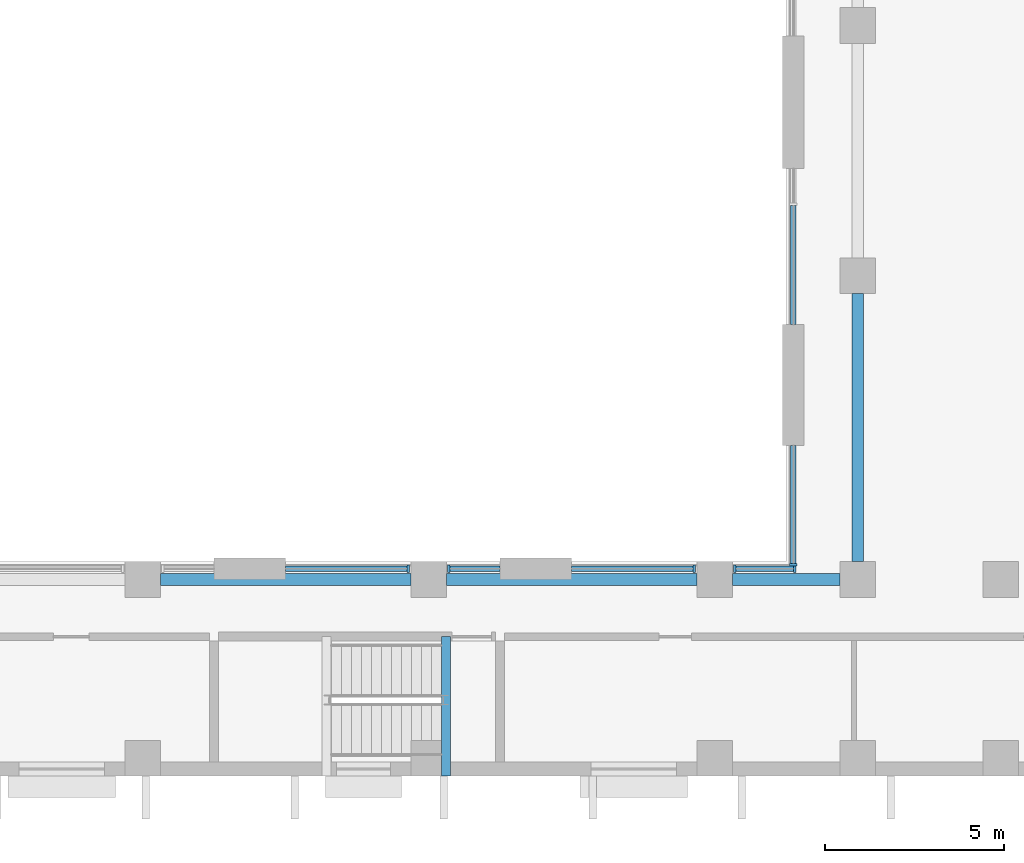
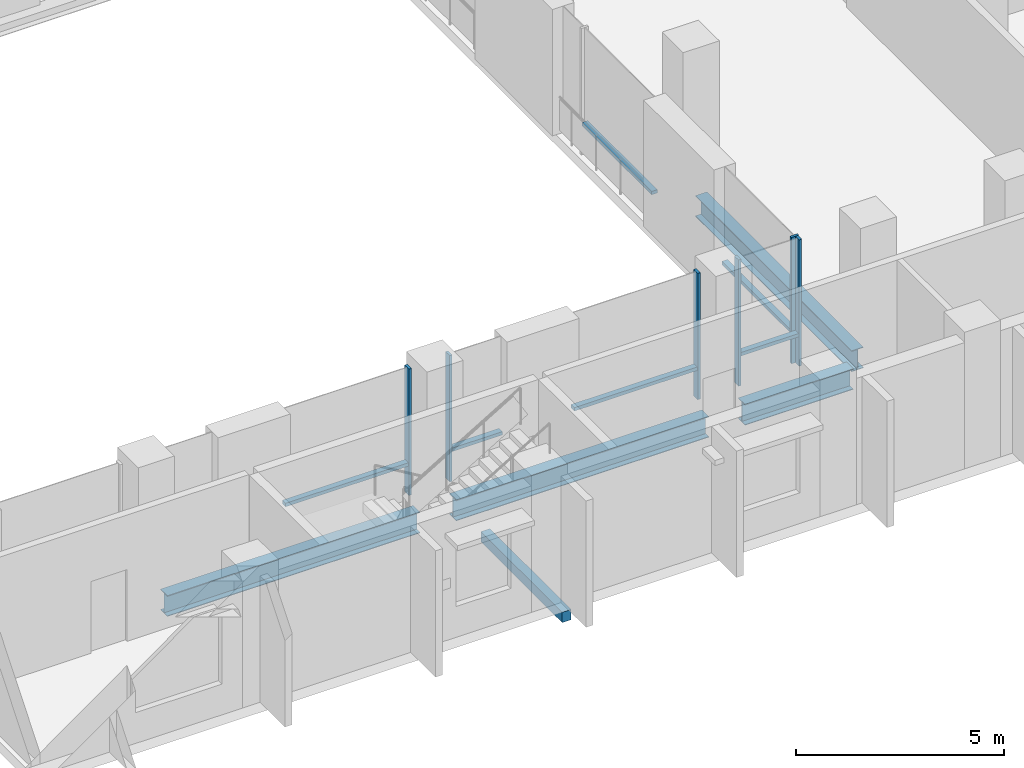
# One storey, part 3 of 25: 12 members, 5 beams, 6 elements without a shape of their own.
"""IFC4 building model written with IfcOpenShell, lengths in metres."""

from ifc_helpers import new_model, si_unit, direction, frame, origin, origin_2d, place, context, subcontext, project, spatial, rectangle, i_section, extrude, material, material_profile, profile_set, type_object, element, aggregate, save


model = new_model("IFC4")

# Units and contexts
model_context = context("Model", 3, precision=1e-05, world=origin(), true_north=direction((0.0, 1.0)))
body_context = subcontext(model_context, "Body", "Model", "MODEL_VIEW")
ifc_project = project(units=[si_unit("LENGTHUNIT", "METRE"), si_unit("AREAUNIT", "SQUARE_METRE"), si_unit("VOLUMEUNIT", "CUBIC_METRE"), si_unit("PLANEANGLEUNIT", "RADIAN"), si_unit("MASSUNIT", "GRAM", prefix="KILO")], contexts=[model_context])

# Site, building, storey
site_placement = place(None, origin())
site = spatial("IfcSite", under=ifc_project, at=site_placement, CompositionType="ELEMENT")
building_placement = place(site_placement, origin())
building = spatial("IfcBuilding", under=site, at=building_placement, Name="Vidyagriha Tower", CompositionType="ELEMENT")
storey_placement = place(building_placement, frame((0.0, 0.0, 10.0)))
storey = spatial("IfcBuildingStorey", under=building, at=storey_placement, Name="L02", CompositionType="ELEMENT", Elevation=10.0)

# Beams
ifc_material_1 = material(Name="Steel ASTM A992 Grade 50", Category="steel")
ifc_material_profile_1 = material_profile(ifc_material_1, i_section(OverallWidth=0.32373046875, OverallDepth=0.612060546875, WebThickness=0.0126953125, FlangeThickness=0.01904296875, at=origin_2d()), Name="W24X104")
ifc_profile_set_1 = profile_set([ifc_material_profile_1], Name="Steel ASTM A992 Grade 50")
beam_type_1 = type_object("IfcBeamType", Name="Atrium edge beam W24X104", PredefinedType="BEAM", material=ifc_profile_set_1)
for number, where, z_axis, x_axis, name in (
    (1, (2.5, -44.5, -0.60595703125), (1.0, 0.0, 0.0), (0.0, 1.0, 0.0), "st-beam-L02-AT04"),
    (2, (10.5, -44.5, -0.60595703125), (1.0, 0.0, 0.0), (0.0, 1.0, 0.0), "st-beam-L02-AT05"),
):
    element("IfcBeam", number, at=place(storey_placement, frame(where, z_axis=z_axis, x_axis=x_axis)), inside=storey, type_object=beam_type_1, Name=name, PredefinedType="BEAM", context=body_context, shape_type="SweptSolid", body=[
        extrude(i_section(OverallWidth=0.32373046875, OverallDepth=0.612060546875, WebThickness=0.0126953125, FlangeThickness=0.01904296875, at=origin_2d()), origin(), (0.0, 0.0, 1.0), 7.0),
    ])
beam_1_placement = place(storey_placement, frame((18.5, -44.5, -0.60595703125), z_axis=(1.0, 0.0, 0.0), x_axis=(0.0, 1.0, 0.0)))
element("IfcBeam", 3, at=beam_1_placement, inside=storey, type_object=beam_type_1, Name="st-beam-L02-AT06", PredefinedType="BEAM", context=body_context, shape_type="SweptSolid", body=[
    extrude(i_section(OverallWidth=0.32373046875, OverallDepth=0.612060546875, WebThickness=0.0126953125, FlangeThickness=0.01904296875, at=origin_2d()), origin(), (0.0, 0.0, 1.0), 3.0),
])
beam_2_placement = place(storey_placement, frame((22.0, -44.0, -0.60595703125), z_axis=(0.0, 1.0, 0.0), x_axis=(-1.0, 0.0, 0.0)))
element("IfcBeam", 4, at=beam_2_placement, inside=storey, type_object=beam_type_1, Name="st-beam-L02-AT16", PredefinedType="BEAM", context=body_context, shape_type="SweptSolid", body=[
    extrude(i_section(OverallWidth=0.32373046875, OverallDepth=0.612060546875, WebThickness=0.0126953125, FlangeThickness=0.01904296875, at=origin_2d()), origin(), (0.0, 0.0, 1.0), 7.5),
])

# Curtain wall, members
ifc_material_2 = material(Name="Aluminium and glass curtain wall", Category="aluminium")
curtain_wall_type = type_object("IfcCurtainWallType", Name="Atrium screen curtain wall", PredefinedType="USERDEFINED", material=ifc_material_2)
curtain_wall_1_placement = place(storey_placement, origin())
curtain_wall_1 = element("IfcCurtainWall", 5, at=curtain_wall_1_placement, inside=storey, type_object=curtain_wall_type, Name="CW6 atrium screen", ObjectType="UNITISED", PredefinedType="USERDEFINED")
ifc_material_3 = material(Name="Aluminium black anodised", Category="aluminium")
ifc_material_profile_2 = material_profile(ifc_material_3, rectangle(XDim=0.199951171875, YDim=0.070068359375, at=origin_2d()), Name="Mullion 70x200 black aluminium")
ifc_profile_set_2 = profile_set([ifc_material_profile_2], Name="Aluminium black anodised")
member_type_1 = type_object("IfcMemberType", Name="Mullion 70x200 black aluminium", PredefinedType="MULLION", material=ifc_profile_set_2)
member_1_placement = place(storey_placement, frame((20.2451171875, -44.199951171875, 0.0), z_axis=(0.0, 0.0, 1.0), x_axis=(0.0, -1.0, 0.0)))
member_1 = element("IfcMember", 6, at=member_1_placement, type_object=member_type_1, Name="CW6 mullion 1", PredefinedType="MULLION", context=body_context, shape_type="SweptSolid", body=[
    extrude(rectangle(XDim=0.199951171875, YDim=0.070068359375, at=origin_2d()), origin(), (0.0, 0.0, 1.0), 3.699951171875),
])
member_2_placement = place(storey_placement, frame((18.56494140625, -44.199951171875, 0.0), z_axis=(0.0, 0.0, 1.0), x_axis=(0.0, -1.0, 0.0)))
member_2 = element("IfcMember", 7, at=member_2_placement, type_object=member_type_1, Name="CW6 mullion 2", PredefinedType="MULLION", context=body_context, shape_type="SweptSolid", body=[
    extrude(rectangle(XDim=0.199951171875, YDim=0.070068359375, at=origin_2d()), origin(), (0.0, 0.0, 1.0), 3.699951171875),
])

# Curtain wall, member
curtain_wall_2_placement = place(storey_placement, origin())
curtain_wall_2 = element("IfcCurtainWall", 8, at=curtain_wall_2_placement, inside=storey, type_object=curtain_wall_type, Name="CW6 atrium screen", ObjectType="UNITISED", PredefinedType="USERDEFINED")
member_3_placement = place(storey_placement, frame((17.43505859375, -44.199951171875, 0.0), z_axis=(0.0, 0.0, 1.0), x_axis=(0.0, -1.0, 0.0)))
member_3 = element("IfcMember", 9, at=member_3_placement, type_object=member_type_1, Name="CW6 mullion 1", PredefinedType="MULLION", context=body_context, shape_type="SweptSolid", body=[
    extrude(rectangle(XDim=0.199951171875, YDim=0.070068359375, at=origin_2d()), origin(), (0.0, 0.0, 1.0), 3.699951171875),
])

curtain_wall_3_placement = place(storey_placement, origin())
curtain_wall_3 = element("IfcCurtainWall", 10, at=curtain_wall_3_placement, inside=storey, type_object=curtain_wall_type, Name="CW6 atrium screen", ObjectType="UNITISED", PredefinedType="USERDEFINED")
member_4_placement = place(storey_placement, frame((10.56494140625, -44.199951171875, 0.0), z_axis=(0.0, 0.0, 1.0), x_axis=(0.0, -1.0, 0.0)))
member_4 = element("IfcMember", 11, at=member_4_placement, type_object=member_type_1, Name="CW6 mullion 2", PredefinedType="MULLION", context=body_context, shape_type="SweptSolid", body=[
    extrude(rectangle(XDim=0.199951171875, YDim=0.070068359375, at=origin_2d()), origin(), (0.0, 0.0, 1.0), 3.699951171875),
])

curtain_wall_4_placement = place(storey_placement, origin())
curtain_wall_4 = element("IfcCurtainWall", 12, at=curtain_wall_4_placement, inside=storey, type_object=curtain_wall_type, Name="CW6 atrium screen", ObjectType="UNITISED", PredefinedType="USERDEFINED")
member_5_placement = place(storey_placement, frame((9.43505859375, -44.199951171875, 0.0), z_axis=(0.0, 0.0, 1.0), x_axis=(0.0, -1.0, 0.0)))
member_5 = element("IfcMember", 13, at=member_5_placement, type_object=member_type_1, Name="CW6 mullion 1", PredefinedType="MULLION", context=body_context, shape_type="SweptSolid", body=[
    extrude(rectangle(XDim=0.199951171875, YDim=0.070068359375, at=origin_2d()), origin(), (0.0, 0.0, 1.0), 3.699951171875),
])

curtain_wall_5_placement = place(storey_placement, origin())
curtain_wall_5 = element("IfcCurtainWall", 14, at=curtain_wall_5_placement, inside=storey, type_object=curtain_wall_type, Name="CW6 atrium screen", ObjectType="UNITISED", PredefinedType="USERDEFINED")
member_6_placement = place(storey_placement, frame((20.199951171875, -44.0849609375, 0.0)))
member_6 = element("IfcMember", 15, at=member_6_placement, type_object=member_type_1, Name="CW6 mullion 2", PredefinedType="MULLION", context=body_context, shape_type="SweptSolid", body=[
    extrude(rectangle(XDim=0.199951171875, YDim=0.070068359375, at=origin_2d()), origin(), (0.0, 0.0, 1.0), 3.699951171875),
])

# Beam
ifc_material_4 = material(Name="Concrete C40/50", Category="concrete")
ifc_material_profile_3 = material_profile(ifc_material_4, rectangle(XDim=0.25, YDim=0.300048828125, at=origin_2d()), Name="Stair landing bearing beam 250x300")
ifc_profile_set_3 = profile_set([ifc_material_profile_3], Name="Concrete C40/50")
beam_type_2 = type_object("IfcBeamType", Name="Stair landing bearing beam 250x300", PredefinedType="BEAM", material=ifc_profile_set_3)
beam_3_placement = place(storey_placement, frame((10.47998046875, -50.0, -0.449951171875), z_axis=(0.0, 1.0, 0.0), x_axis=(-1.0, 0.0, 0.0)))
element("IfcBeam", 16, at=beam_3_placement, inside=storey, type_object=beam_type_2, Name="PS4 floor landing bearing beam L02", PredefinedType="BEAM", context=body_context, shape_type="SweptSolid", body=[
    extrude(rectangle(XDim=0.25, YDim=0.300048828125, at=origin_2d()), origin(), (0.0, 0.0, 1.0), 3.89990234375),
])

# Member
ifc_material_5 = material(Name="Aluminium black anodised", Category="aluminium")
ifc_material_profile_4 = material_profile(ifc_material_5, rectangle(XDim=0.159912109375, YDim=0.10009765625, at=origin_2d()), Name="Transom 100x160 black aluminium")
ifc_profile_set_4 = profile_set([ifc_material_profile_4], Name="Aluminium black anodised")
member_type_2 = type_object("IfcMemberType", Name="Transom 100x160 black aluminium", PredefinedType="USERDEFINED", material=ifc_profile_set_4)
member_7_placement = place(storey_placement, frame((20.2099609375, -44.199951171875, 0.89990234375), z_axis=(-1.0, 0.0, 0.0), x_axis=(0.0, -1.0, 0.0)))
member_7 = element("IfcMember", 17, at=member_7_placement, type_object=member_type_2, Name="CW6 transom 1.1", ObjectType="TRANSOM", PredefinedType="USERDEFINED", context=body_context, shape_type="SweptSolid", body=[
    extrude(rectangle(XDim=0.159912109375, YDim=0.10009765625, at=origin_2d()), origin(), (0.0, 0.0, 1.0), 1.60986328125),
])

aggregate(curtain_wall_1, [member_1, member_2, member_7])

member_8_placement = place(storey_placement, frame((17.39990234375, -44.199951171875, 0.89990234375), z_axis=(-1.0, 0.0, 0.0), x_axis=(0.0, -1.0, 0.0)))
member_8 = element("IfcMember", 18, at=member_8_placement, type_object=member_type_2, Name="CW6 transom 1.1", ObjectType="TRANSOM", PredefinedType="USERDEFINED", context=body_context, shape_type="SweptSolid", body=[
    extrude(rectangle(XDim=0.159912109375, YDim=0.10009765625, at=origin_2d()), origin(), (0.0, 0.0, 1.0), 3.39990234375),
])

aggregate(curtain_wall_2, [member_3, member_8])

member_9_placement = place(storey_placement, frame((12.0, -44.199951171875, 0.89990234375), z_axis=(-1.0, 0.0, 0.0), x_axis=(0.0, -1.0, 0.0)))
member_9 = element("IfcMember", 19, at=member_9_placement, type_object=member_type_2, Name="CW6 transom 1.1", ObjectType="TRANSOM", PredefinedType="USERDEFINED", context=body_context, shape_type="SweptSolid", body=[
    extrude(rectangle(XDim=0.159912109375, YDim=0.10009765625, at=origin_2d()), origin(), (0.0, 0.0, 1.0), 1.39990234375),
])

aggregate(curtain_wall_3, [member_4, member_9])

member_10_placement = place(storey_placement, frame((9.39990234375, -44.199951171875, 0.89990234375), z_axis=(-1.0, 0.0, 0.0), x_axis=(0.0, -1.0, 0.0)))
member_10 = element("IfcMember", 20, at=member_10_placement, type_object=member_type_2, Name="CW6 transom 1.1", ObjectType="TRANSOM", PredefinedType="USERDEFINED", context=body_context, shape_type="SweptSolid", body=[
    extrude(rectangle(XDim=0.159912109375, YDim=0.10009765625, at=origin_2d()), origin(), (0.0, 0.0, 1.0), 3.39990234375),
])

aggregate(curtain_wall_4, [member_5, member_10])

# Curtain wall, member
curtain_wall_6_placement = place(storey_placement, origin())
curtain_wall_6 = element("IfcCurtainWall", 21, at=curtain_wall_6_placement, inside=storey, type_object=curtain_wall_type, Name="CW6 atrium screen", ObjectType="UNITISED", PredefinedType="USERDEFINED")
member_11_placement = place(storey_placement, frame((20.199951171875, -34.034912109375, 0.89990234375), z_axis=(0.0, -1.0, 0.0), x_axis=(1.0, 0.0, 0.0)))
member_11 = element("IfcMember", 22, at=member_11_placement, type_object=member_type_2, Name="CW6 transom 2.1", ObjectType="TRANSOM", PredefinedType="USERDEFINED", context=body_context, shape_type="SweptSolid", body=[
    extrude(rectangle(XDim=0.159912109375, YDim=0.10009765625, at=origin_2d()), origin(), (0.0, 0.0, 1.0), 3.33837890625),
])
aggregate(curtain_wall_6, [member_11])

# Member
member_12_placement = place(storey_placement, frame((20.199951171875, -40.74658203125, 0.89990234375), z_axis=(0.0, -1.0, 0.0), x_axis=(1.0, 0.0, 0.0)))
member_12 = element("IfcMember", 23, at=member_12_placement, type_object=member_type_2, Name="CW6 transom 1.1", ObjectType="TRANSOM", PredefinedType="USERDEFINED", context=body_context, shape_type="SweptSolid", body=[
    extrude(rectangle(XDim=0.159912109375, YDim=0.10009765625, at=origin_2d()), origin(), (0.0, 0.0, 1.0), 3.303466796875),
])

aggregate(curtain_wall_5, [member_6, member_12])

save(model, "model.ifc")
